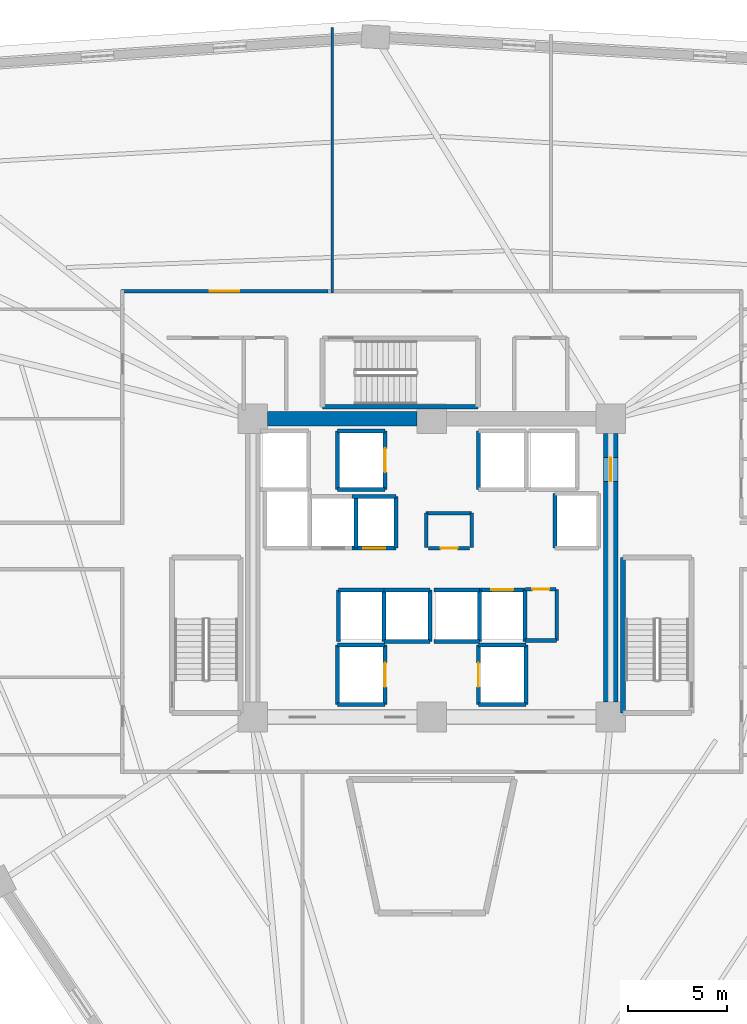
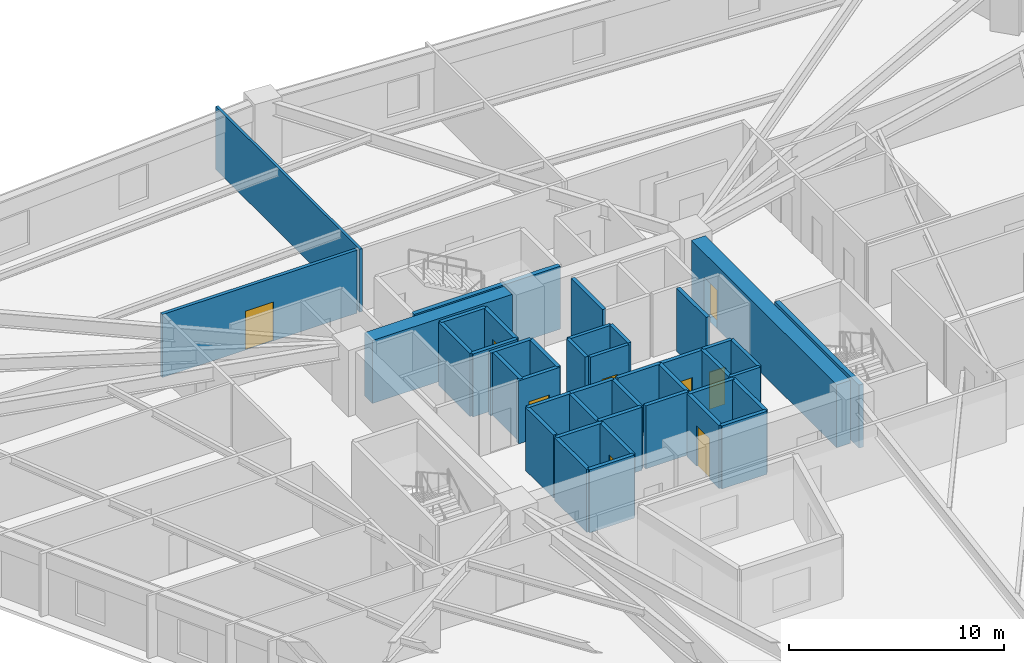
# One storey, part 5 of 9: 42 walls, 9 doors, 9 openings.
"""IFC4 building model written with IfcOpenShell, lengths in metres."""

from ifc_helpers import new_model, si_unit, direction, frame, frame_2d, origin, place, context, subcontext, project, spatial, rectangle, extrude, source, transform, mapped, material, layer, layer_set, type_object, element, fill, save


model = new_model("IFC4")

# Units and contexts
model_context = context("Model", 3, precision=1e-05, world=origin(), true_north=direction((0.0, 1.0)))
body_context = subcontext(model_context, "Body", "Model", "MODEL_VIEW")
ifc_project = project(units=[si_unit("LENGTHUNIT", "METRE"), si_unit("AREAUNIT", "SQUARE_METRE"), si_unit("VOLUMEUNIT", "CUBIC_METRE"), si_unit("PLANEANGLEUNIT", "RADIAN"), si_unit("MASSUNIT", "GRAM", prefix="KILO")], contexts=[model_context])

# Site, building, storey
site_placement = place(None, origin())
site = spatial("IfcSite", under=ifc_project, at=site_placement, CompositionType="ELEMENT")
building_placement = place(site_placement, origin())
building = spatial("IfcBuilding", under=site, at=building_placement, Name="Liaohun Quay Tower", CompositionType="ELEMENT")
storey_placement = place(building_placement, frame((0.0, 0.0, 102.0)))
storey = spatial("IfcBuildingStorey", under=building, at=storey_placement, Name="L26", CompositionType="ELEMENT", Elevation=102.0)

# Wall
ifc_material_1 = material(Name="Concrete C60", Category="concrete")
ifc_layer_1 = layer(ifc_material_1, 0.75, Name="Concrete C60", Category="concrete")
ifc_layer_set_1 = layer_set([ifc_layer_1], Name="Concrete C60")
wall_type_1 = type_object("IfcWallType", Name="WAL-COR-Z2", PredefinedType="SHEAR", material=ifc_layer_set_1)
wall_1_placement = place(storey_placement, frame((51.75, 61.5, 0.0), z_axis=(0.0, 0.0, 1.0), x_axis=(1.0, 0.0, 0.0)))
element("IfcWall", 1, at=wall_1_placement, inside=storey, type_object=wall_type_1, Name="L26 Central Core Shear Wall N-W", PredefinedType="SHEAR", context=body_context, shape_type="SweptSolid", body=[
    extrude(rectangle(XDim=7.5, YDim=0.75, at=frame_2d((3.75, 0.0))), origin(), (0.0, 0.0, 1.0), 3.570068359375),
])

# Wall, opening, door
wall_2_placement = place(storey_placement, frame((69.0, 60.75, 0.0), z_axis=(0.0, 0.0, 1.0), x_axis=(0.0, -1.0, 0.0)))
wall_2 = element("IfcWall", 2, at=wall_2_placement, inside=storey, type_object=wall_type_1, Name="L26 Central Core Shear Wall E", PredefinedType="SHEAR", context=body_context, shape_type="SweptSolid", body=[
    extrude(rectangle(XDim=13.5, YDim=0.75, at=frame_2d((6.75, 0.0))), origin(), (0.0, 0.0, 1.0), 3.570068359375),
])
shared_shape_1 = source(origin(), body_context, "Body", "SweptSolid", [
    extrude(rectangle(XDim=1.199951171875, YDim=2.199951171875, at=frame_2d((0.60009765625, 1.10009765625))), frame((0.0, 0.385009765625, 0.0), z_axis=(0.0, -1.0, 0.0), x_axis=(1.0, 0.0, 0.0)), (0.0, 0.0, 1.0), 0.77001953125),
])
opening_1_placement = place(wall_2_placement, frame((1.199951171875, 0.0, 0.0)))
opening_1 = element("IfcOpeningElement", 3, at=opening_1_placement, cuts=wall_2, Name="Opening SD1", PredefinedType="OPENING", context=body_context, shape_type="MappedRepresentation", body=[
    mapped(shared_shape_1, transform((0.0, 0.0, 0.0), x_axis=(1.0, 0.0, 0.0), y_axis=(0.0, 1.0, 0.0), z_axis=(0.0, 0.0, 1.0), scale=1.0)),
])
ifc_material_2 = material(Name="Galvanised steel fire door", Category="steel")
door_type_1 = type_object("IfcDoorType", Name="DOR-STR-1200", OperationType="NOTDEFINED", PredefinedType="DOOR", material=ifc_material_2)
shared_shape_2 = source(origin(), body_context, "Body", "SweptSolid", [
    extrude(rectangle(XDim=1.199951171875, YDim=2.199951171875, at=frame_2d((0.60009765625, 1.10009765625))), frame((0.0, 0.02490234375, 0.0), z_axis=(0.0, -1.0, 0.0), x_axis=(1.0, 0.0, 0.0)), (0.0, 0.0, 1.0), 0.050048828125),
])
door_1_placement = place(opening_1_placement, origin())
door_1 = element("IfcDoor", 4, at=door_1_placement, inside=storey, type_object=door_type_1, Name="L26 North-East Core Lobby Smokeproof Door", OperationType="SINGLE_SWING_LEFT", OverallHeight=2.199951171875, OverallWidth=1.199951171875, PredefinedType="DOOR", context=body_context, shape_type="MappedRepresentation", body=[
    mapped(shared_shape_2, transform((0.0, 0.0, 0.0), x_axis=(1.0, 0.0, 0.0), y_axis=(0.0, 1.0, 0.0), z_axis=(0.0, 0.0, 1.0), scale=1.0)),
])
fill(opening_1, door_1)

ifc_material_3 = material(Name="Autoclaved aerated concrete blockwork", Category="masonry")
ifc_layer_2 = layer(ifc_material_3, 0.179931640625, Name="Autoclaved aerated concrete blockwork", Category="masonry")
ifc_layer_set_2 = layer_set([ifc_layer_2], Name="Autoclaved aerated concrete blockwork")
wall_type_2 = type_object("IfcWallType", Name="WAL-PRT-COR", PredefinedType="PARTITIONING", material=ifc_layer_set_2)
wall_3_placement = place(storey_placement, frame((59.840087890625, 54.97998046875, 0.0), z_axis=(0.0, 0.0, 1.0), x_axis=(1.0, 0.0, 0.0)))
wall_3 = element("IfcWall", 5, at=wall_3_placement, inside=storey, type_object=wall_type_2, Name="L26 Interior Partition Wall 001", PredefinedType="PARTITIONING", context=body_context, shape_type="SweptSolid", body=[
    extrude(rectangle(XDim=2.059814453125, YDim=0.179931640625, at=frame_2d((1.02978515625, 0.0))), origin(), (0.0, 0.0, 1.0), 3.570068359375),
])
shared_shape_3 = source(origin(), body_context, "Body", "SweptSolid", [
    extrude(rectangle(XDim=0.85009765625, YDim=2.10009765625, at=frame_2d((0.425048828125, 1.050048828125))), frame((0.0, 0.099853515625, 0.0), z_axis=(0.0, -1.0, 0.0), x_axis=(1.0, 0.0, 0.0)), (0.0, 0.0, 1.0), 0.199951171875),
])
opening_2_placement = place(wall_3_placement, frame((0.60498046875, 0.0, 0.0)))
opening_2 = element("IfcOpeningElement", 6, at=opening_2_placement, cuts=wall_3, Name="Opening AD1", PredefinedType="OPENING", context=body_context, shape_type="MappedRepresentation", body=[
    mapped(shared_shape_3, transform((0.0, 0.0, 0.0), x_axis=(1.0, 0.0, 0.0), y_axis=(0.0, 1.0, 0.0), z_axis=(0.0, 0.0, 1.0), scale=1.0)),
])
ifc_material_4 = material(Name="Steel riser inspection fire door", Category="steel")
door_type_2 = type_object("IfcDoorType", Name="DOR-SHF-850", OperationType="NOTDEFINED", PredefinedType="DOOR", material=ifc_material_4)
shared_shape_4 = source(origin(), body_context, "Body", "SweptSolid", [
    extrude(rectangle(XDim=0.85009765625, YDim=2.10009765625, at=frame_2d((0.425048828125, 1.050048828125))), frame((0.0, 0.02490234375, 0.0), z_axis=(0.0, -1.0, 0.0), x_axis=(1.0, 0.0, 0.0)), (0.0, 0.0, 1.0), 0.050048828125),
])
door_2_placement = place(opening_2_placement, origin())
door_2 = element("IfcDoor", 7, at=door_2_placement, inside=storey, type_object=door_type_2, Name="L26 Electrical Meter Room Door", OperationType="SINGLE_SWING_LEFT", OverallHeight=2.10009765625, OverallWidth=0.85009765625, PredefinedType="DOOR", context=body_context, shape_type="MappedRepresentation", body=[
    mapped(shared_shape_4, transform((0.0, 0.0, 0.0), x_axis=(1.0, 0.0, 0.0), y_axis=(0.0, 1.0, 0.0), z_axis=(0.0, 0.0, 1.0), scale=1.0)),
])
fill(opening_2, door_2)

wall_4_placement = place(storey_placement, frame((64.719970703125, 52.919921875, 0.0), z_axis=(0.0, 0.0, 1.0), x_axis=(1.0, 0.0, 0.0)))
wall_4 = element("IfcWall", 8, at=wall_4_placement, inside=storey, type_object=wall_type_2, Name="L26 Interior Partition Wall 002", PredefinedType="PARTITIONING", context=body_context, shape_type="SweptSolid", body=[
    extrude(rectangle(XDim=1.530029296875, YDim=0.179931640625, at=frame_2d((0.76513671875, 0.0))), origin(), (0.0, 0.0, 1.0), 3.570068359375),
])
opening_3_placement = place(wall_4_placement, frame((0.340087890625, 0.0, 0.0)))
opening_3 = element("IfcOpeningElement", 9, at=opening_3_placement, cuts=wall_4, Name="Opening AD1", PredefinedType="OPENING", context=body_context, shape_type="MappedRepresentation", body=[
    mapped(shared_shape_3, transform((0.0, 0.0, 0.0), x_axis=(1.0, 0.0, 0.0), y_axis=(0.0, 1.0, 0.0), z_axis=(0.0, 0.0, 1.0), scale=1.0)),
])
door_3_placement = place(opening_3_placement, origin())
door_3 = element("IfcDoor", 10, at=door_3_placement, inside=storey, type_object=door_type_2, Name="L26 BMS Data Riser Room Door", OperationType="SINGLE_SWING_RIGHT", OverallHeight=2.10009765625, OverallWidth=0.85009765625, PredefinedType="DOOR", context=body_context, shape_type="MappedRepresentation", body=[
    mapped(shared_shape_4, transform((0.0, 0.0, 0.0), x_axis=(1.0, 0.0, 0.0), y_axis=(0.0, 1.0, 0.0), z_axis=(0.0, 0.0, 1.0), scale=1.0)),
])
fill(opening_3, door_3)

wall_5_placement = place(storey_placement, frame((44.3701171875, 67.909912109375, 0.0), z_axis=(0.0, 0.0, 1.0), x_axis=(1.0, 0.0, 0.0)))
wall_5 = element("IfcWall", 11, at=wall_5_placement, inside=storey, type_object=wall_type_2, Name="L26 Interior Partition Wall 013", PredefinedType="PARTITIONING", context=body_context, shape_type="SweptSolid", body=[
    extrude(rectangle(XDim=10.414794921875, YDim=0.179931640625, at=frame_2d((5.20751953125, 0.0))), origin(), (0.0, 0.0, 1.0), 3.570068359375),
])
shared_shape_5 = source(origin(), body_context, "Body", "SweptSolid", [
    extrude(rectangle(XDim=1.5, YDim=2.199951171875, at=frame_2d((0.75, 1.10009765625))), frame((0.0, 0.099853515625, 0.0), z_axis=(0.0, -1.0, 0.0), x_axis=(1.0, 0.0, 0.0)), (0.0, 0.0, 1.0), 0.199951171875),
])
opening_4_placement = place(wall_5_placement, frame((4.45703125, 0.0, 0.0)))
opening_4 = element("IfcOpeningElement", 12, at=opening_4_placement, cuts=wall_5, Name="Opening OD2", PredefinedType="OPENING", context=body_context, shape_type="MappedRepresentation", body=[
    mapped(shared_shape_5, transform((0.0, 0.0, 0.0), x_axis=(1.0, 0.0, 0.0), y_axis=(0.0, 1.0, 0.0), z_axis=(0.0, 0.0, 1.0), scale=1.0)),
])
ifc_material_5 = material(Name="Acoustic oak veneer double door")
door_type_3 = type_object("IfcDoorType", Name="DOR-OFF-1500", OperationType="DOUBLE_DOOR_SINGLE_SWING", PredefinedType="DOOR", material=ifc_material_5)
shared_shape_6 = source(origin(), body_context, "Body", "SweptSolid", [
    extrude(rectangle(XDim=1.5, YDim=2.199951171875, at=frame_2d((0.75, 1.10009765625))), frame((0.0, 0.02490234375, 0.0), z_axis=(0.0, -1.0, 0.0), x_axis=(1.0, 0.0, 0.0)), (0.0, 0.0, 1.0), 0.050048828125),
])
door_4_placement = place(opening_4_placement, origin())
door_4 = element("IfcDoor", 13, at=door_4_placement, inside=storey, type_object=door_type_3, Name="L26 Project Collaboration Studio 04 Door", OperationType="DOUBLE_DOOR_SINGLE_SWING", OverallHeight=2.199951171875, OverallWidth=1.5, PredefinedType="DOOR", context=body_context, shape_type="MappedRepresentation", body=[
    mapped(shared_shape_6, transform((0.0, 0.0, 0.0), x_axis=(1.0, 0.0, 0.0), y_axis=(0.0, 1.0, 0.0), z_axis=(0.0, 0.0, 1.0), scale=1.0)),
])
fill(opening_4, door_4)

# Walls
for number, where, z_axis, x_axis, name in (
    (14, (59.719970703125, 55.02001953125, 0.0), (0.0, 0.0, 1.0), (0.0, 1.0, 0.0), "L26 Interior Partition Wall 022"),
    (15, (62.010009765625, 55.02001953125, 0.0), (0.0, 0.0, 1.0), (0.0, 1.0, 0.0), "L26 Interior Partition Wall 023"),
):
    element("IfcWall", number, at=place(storey_placement, frame(where, z_axis=z_axis, x_axis=x_axis)), inside=storey, type_object=wall_type_2, Name=name, PredefinedType="PARTITIONING", context=body_context, shape_type="SweptSolid", body=[
        extrude(rectangle(XDim=1.72998046875, YDim=0.179931640625, at=frame_2d((0.864990234375, 0.0))), origin(), (0.0, 0.0, 1.0), 3.570068359375),
    ])
wall_6_placement = place(storey_placement, frame((59.719970703125, 56.75, 0.0), z_axis=(0.0, 0.0, 1.0), x_axis=(1.0, 0.0, 0.0)))
element("IfcWall", 16, at=wall_6_placement, inside=storey, type_object=wall_type_2, Name="L26 Interior Partition Wall 024", PredefinedType="PARTITIONING", context=body_context, shape_type="SweptSolid", body=[
    extrude(rectangle(XDim=2.2900390625, YDim=0.179931640625, at=frame_2d((1.14501953125, 0.0))), origin(), (0.0, 0.0, 1.0), 3.570068359375),
])
wall_7_placement = place(storey_placement, frame((64.68994140625, 50.35009765625, 0.0), z_axis=(0.0, 0.0, 1.0), x_axis=(1.0, 0.0, 0.0)))
element("IfcWall", 17, at=wall_7_placement, inside=storey, type_object=wall_type_2, Name="L26 Interior Partition Wall 025", PredefinedType="PARTITIONING", context=body_context, shape_type="SweptSolid", body=[
    extrude(rectangle(XDim=1.590087890625, YDim=0.179931640625, at=frame_2d((0.794921875, 0.0))), origin(), (0.0, 0.0, 1.0), 3.570068359375),
])
wall_8_placement = place(storey_placement, frame((66.280029296875, 50.35009765625, 0.0), z_axis=(0.0, 0.0, 1.0), x_axis=(0.0, 1.0, 0.0)))
element("IfcWall", 18, at=wall_8_placement, inside=storey, type_object=wall_type_2, Name="L26 Interior Partition Wall 026", PredefinedType="PARTITIONING", context=body_context, shape_type="SweptSolid", body=[
    extrude(rectangle(XDim=2.56982421875, YDim=0.179931640625, at=frame_2d((1.284912109375, 0.0))), origin(), (0.0, 0.0, 1.0), 3.570068359375),
])
ifc_material_6 = material(Name="Gypsum board on twin steel studs", Category="steel")
ifc_layer_3 = layer(ifc_material_6, 0.139892578125, Name="Gypsum board on twin steel studs", Category="steel")
ifc_layer_set_3 = layer_set([ifc_layer_3], Name="Gypsum board on twin steel studs")
wall_type_3 = type_object("IfcWallType", Name="WAL-PRT-OFF", PredefinedType="PARTITIONING", material=ifc_layer_set_3)
wall_9_placement = place(storey_placement, frame((55.0, 67.81005859375, 0.0), z_axis=(0.0, 0.0, 1.0), x_axis=(0.0, 1.0, 0.0)))
element("IfcWall", 19, at=wall_9_placement, inside=storey, type_object=wall_type_3, Name="L26 Interior Partition Wall 052", PredefinedType="PARTITIONING", context=body_context, shape_type="SweptSolid", body=[
    extrude(rectangle(XDim=13.367919921875, YDim=0.139892578125, at=frame_2d((6.68408203125, 0.0))), origin(), (0.0, 0.0, 1.0), 3.570068359375),
])
ifc_material_7 = material(Name="Concrete C50", Category="concrete")
ifc_layer_4 = layer(ifc_material_7, 0.239990234375, Name="Concrete C50", Category="concrete")
ifc_layer_set_4 = layer_set([ifc_layer_4], Name="Concrete C50")
wall_type_4 = type_object("IfcWallType", Name="WAL-SHF-200", PredefinedType="SOLIDWALL", material=ifc_layer_set_4)
for number, where, z_axis, x_axis, name in (
    (20, (69.6201171875, 54.52001953125, 0.0), (0.0, 0.0, 1.0), (0.0, -1.0, 0.0), "L26 Stairwell ST-2 Structural Core Wall W"),
    (21, (54.5, 62.10009765625, 0.0), (0.0, 0.0, 1.0), (1.0, 0.0, 0.0), "L26 Stairwell ST-3 Structural Core Wall S"),
):
    element("IfcWall", number, at=place(storey_placement, frame(where, z_axis=z_axis, x_axis=x_axis)), inside=storey, type_object=wall_type_4, Name=name, PredefinedType="SOLIDWALL", context=body_context, shape_type="SweptSolid", body=[
        extrude(rectangle(XDim=7.820068359375, YDim=0.239990234375, at=frame_2d((3.91015625, 0.0))), origin(), (0.0, 0.0, 1.0), 3.570068359375),
    ])
wall_10_placement = place(storey_placement, frame((55.25, 47.1201171875, 0.0), z_axis=(0.0, 0.0, 1.0), x_axis=(1.0, 0.0, 0.0)))
element("IfcWall", 22, at=wall_10_placement, inside=storey, type_object=wall_type_4, Name="L26 Lift FF-01 Hoistway Wall S", PredefinedType="SOLIDWALL", context=body_context, shape_type="SweptSolid", body=[
    extrude(rectangle(XDim=2.39990234375, YDim=0.199951171875, at=frame_2d((1.199951171875, 0.0))), origin(), (0.0, 0.0, 1.0), 3.570068359375),
])

# Wall, opening, door
wall_11_placement = place(storey_placement, frame((57.64990234375, 47.1201171875, 0.0), z_axis=(0.0, 0.0, 1.0), x_axis=(0.0, 1.0, 0.0)))
wall_11 = element("IfcWall", 23, at=wall_11_placement, inside=storey, type_object=wall_type_4, Name="L26 Lift FF-01 Hoistway Wall E", PredefinedType="SOLIDWALL", context=body_context, shape_type="SweptSolid", body=[
    extrude(rectangle(XDim=3.0, YDim=0.199951171875, at=frame_2d((1.5, 0.0))), origin(), (0.0, 0.0, 1.0), 3.570068359375),
])
shared_shape_7 = source(origin(), body_context, "Body", "SweptSolid", [
    extrude(rectangle(XDim=1.199951171875, YDim=2.300048828125, at=frame_2d((0.60009765625, 1.14990234375))), frame((0.0, 0.10986328125, 0.0), z_axis=(0.0, -1.0, 0.0), x_axis=(1.0, 0.0, 0.0)), (0.0, 0.0, 1.0), 0.219970703125),
])
opening_5_placement = place(wall_11_placement, frame((0.89990234375, 0.0, 0.0)))
opening_5 = element("IfcOpeningElement", 24, at=opening_5_placement, cuts=wall_11, Name="Opening LD2", PredefinedType="OPENING", context=body_context, shape_type="MappedRepresentation", body=[
    mapped(shared_shape_7, transform((0.0, 0.0, 0.0), x_axis=(1.0, 0.0, 0.0), y_axis=(0.0, 1.0, 0.0), z_axis=(0.0, 0.0, 1.0), scale=1.0)),
])
ifc_material_8 = material(Name="Brushed stainless steel stretcher landing door", Category="steel")
door_type_4 = type_object("IfcDoorType", Name="DOR-LFT-1200", OperationType="SLIDING_TO_LEFT", PredefinedType="DOOR", material=ifc_material_8)
shared_shape_8 = source(origin(), body_context, "Body", "SweptSolid", [
    extrude(rectangle(XDim=1.199951171875, YDim=2.300048828125, at=frame_2d((0.60009765625, 1.14990234375))), frame((0.0, 0.02490234375, 0.0), z_axis=(0.0, -1.0, 0.0), x_axis=(1.0, 0.0, 0.0)), (0.0, 0.0, 1.0), 0.050048828125),
])
door_5_placement = place(opening_5_placement, origin())
door_5 = element("IfcDoor", 25, at=door_5_placement, inside=storey, type_object=door_type_4, Name="L26 Lift FF-01 Sliding Landing Door", OperationType="SLIDING_TO_LEFT", OverallHeight=2.300048828125, OverallWidth=1.199951171875, PredefinedType="DOOR", context=body_context, shape_type="MappedRepresentation", body=[
    mapped(shared_shape_8, transform((0.0, 0.0, 0.0), x_axis=(1.0, 0.0, 0.0), y_axis=(0.0, 1.0, 0.0), z_axis=(0.0, 0.0, 1.0), scale=1.0)),
])
fill(opening_5, door_5)

# Walls
wall_12_placement = place(storey_placement, frame((57.64990234375, 50.1201171875, 0.0), z_axis=(0.0, 0.0, 1.0), x_axis=(-1.0, 0.0, 0.0)))
element("IfcWall", 26, at=wall_12_placement, inside=storey, type_object=wall_type_4, Name="L26 Lift FF-01 Hoistway Wall N", PredefinedType="SOLIDWALL", context=body_context, shape_type="SweptSolid", body=[
    extrude(rectangle(XDim=2.39990234375, YDim=0.199951171875, at=frame_2d((1.199951171875, 0.0))), origin(), (0.0, 0.0, 1.0), 3.570068359375),
])
wall_13_placement = place(storey_placement, frame((55.25, 50.1201171875, 0.0), z_axis=(0.0, 0.0, 1.0), x_axis=(0.0, -1.0, 0.0)))
element("IfcWall", 27, at=wall_13_placement, inside=storey, type_object=wall_type_4, Name="L26 Lift FF-01 Hoistway Wall W", PredefinedType="SOLIDWALL", context=body_context, shape_type="SweptSolid", body=[
    extrude(rectangle(XDim=3.0, YDim=0.199951171875, at=frame_2d((1.5, 0.0))), origin(), (0.0, 0.0, 1.0), 3.570068359375),
])
wall_14_placement = place(storey_placement, frame((62.35009765625, 47.1201171875, 0.0), z_axis=(0.0, 0.0, 1.0), x_axis=(1.0, 0.0, 0.0)))
element("IfcWall", 28, at=wall_14_placement, inside=storey, type_object=wall_type_4, Name="L26 Lift FF-02 Hoistway Wall S", PredefinedType="SOLIDWALL", context=body_context, shape_type="SweptSolid", body=[
    extrude(rectangle(XDim=2.39990234375, YDim=0.199951171875, at=frame_2d((1.199951171875, 0.0))), origin(), (0.0, 0.0, 1.0), 3.570068359375),
])
wall_15_placement = place(storey_placement, frame((64.75, 47.1201171875, 0.0), z_axis=(0.0, 0.0, 1.0), x_axis=(0.0, 1.0, 0.0)))
element("IfcWall", 29, at=wall_15_placement, inside=storey, type_object=wall_type_4, Name="L26 Lift FF-02 Hoistway Wall E", PredefinedType="SOLIDWALL", context=body_context, shape_type="SweptSolid", body=[
    extrude(rectangle(XDim=3.0, YDim=0.199951171875, at=frame_2d((1.5, 0.0))), origin(), (0.0, 0.0, 1.0), 3.570068359375),
])
wall_16_placement = place(storey_placement, frame((64.75, 50.1201171875, 0.0), z_axis=(0.0, 0.0, 1.0), x_axis=(-1.0, 0.0, 0.0)))
element("IfcWall", 30, at=wall_16_placement, inside=storey, type_object=wall_type_4, Name="L26 Lift FF-02 Hoistway Wall N", PredefinedType="SOLIDWALL", context=body_context, shape_type="SweptSolid", body=[
    extrude(rectangle(XDim=2.39990234375, YDim=0.199951171875, at=frame_2d((1.199951171875, 0.0))), origin(), (0.0, 0.0, 1.0), 3.570068359375),
])

# Wall, opening, door
wall_17_placement = place(storey_placement, frame((62.35009765625, 50.1201171875, 0.0), z_axis=(0.0, 0.0, 1.0), x_axis=(0.0, -1.0, 0.0)))
wall_17 = element("IfcWall", 31, at=wall_17_placement, inside=storey, type_object=wall_type_4, Name="L26 Lift FF-02 Hoistway Wall W", PredefinedType="SOLIDWALL", context=body_context, shape_type="SweptSolid", body=[
    extrude(rectangle(XDim=3.0, YDim=0.199951171875, at=frame_2d((1.5, 0.0))), origin(), (0.0, 0.0, 1.0), 3.570068359375),
])
opening_6_placement = place(wall_17_placement, frame((0.89990234375, 0.0, 0.0)))
opening_6 = element("IfcOpeningElement", 32, at=opening_6_placement, cuts=wall_17, Name="Opening LD2", PredefinedType="OPENING", context=body_context, shape_type="MappedRepresentation", body=[
    mapped(shared_shape_7, transform((0.0, 0.0, 0.0), x_axis=(1.0, 0.0, 0.0), y_axis=(0.0, 1.0, 0.0), z_axis=(0.0, 0.0, 1.0), scale=1.0)),
])
door_6_placement = place(opening_6_placement, origin())
door_6 = element("IfcDoor", 33, at=door_6_placement, inside=storey, type_object=door_type_4, Name="L26 Lift FF-02 Sliding Landing Door", OperationType="SLIDING_TO_LEFT", OverallHeight=2.300048828125, OverallWidth=1.199951171875, PredefinedType="DOOR", context=body_context, shape_type="MappedRepresentation", body=[
    mapped(shared_shape_8, transform((0.0, 0.0, 0.0), x_axis=(1.0, 0.0, 0.0), y_axis=(0.0, 1.0, 0.0), z_axis=(0.0, 0.0, 1.0), scale=1.0)),
])
fill(opening_6, door_6)

# Wall
wall_18_placement = place(storey_placement, frame((55.25, 57.949951171875, 0.0), z_axis=(0.0, 0.0, 1.0), x_axis=(1.0, 0.0, 0.0)))
element("IfcWall", 34, at=wall_18_placement, inside=storey, type_object=wall_type_4, Name="L26 Lift FF-03 Hoistway Wall S", PredefinedType="SOLIDWALL", context=body_context, shape_type="SweptSolid", body=[
    extrude(rectangle(XDim=2.39990234375, YDim=0.199951171875, at=frame_2d((1.199951171875, 0.0))), origin(), (0.0, 0.0, 1.0), 3.570068359375),
])

# Wall, opening, door
wall_19_placement = place(storey_placement, frame((57.64990234375, 57.949951171875, 0.0), z_axis=(0.0, 0.0, 1.0), x_axis=(0.0, 1.0, 0.0)))
wall_19 = element("IfcWall", 35, at=wall_19_placement, inside=storey, type_object=wall_type_4, Name="L26 Lift FF-03 Hoistway Wall E", PredefinedType="SOLIDWALL", context=body_context, shape_type="SweptSolid", body=[
    extrude(rectangle(XDim=2.929931640625, YDim=0.199951171875, at=frame_2d((1.46484375, 0.0))), origin(), (0.0, 0.0, 1.0), 3.570068359375),
])
opening_7_placement = place(wall_19_placement, frame((0.864990234375, 0.0, 0.0)))
opening_7 = element("IfcOpeningElement", 36, at=opening_7_placement, cuts=wall_19, Name="Opening LD2", PredefinedType="OPENING", context=body_context, shape_type="MappedRepresentation", body=[
    mapped(shared_shape_7, transform((0.0, 0.0, 0.0), x_axis=(1.0, 0.0, 0.0), y_axis=(0.0, 1.0, 0.0), z_axis=(0.0, 0.0, 1.0), scale=1.0)),
])
door_7_placement = place(opening_7_placement, origin())
door_7 = element("IfcDoor", 37, at=door_7_placement, inside=storey, type_object=door_type_4, Name="L26 Lift FF-03 Sliding Landing Door", OperationType="SLIDING_TO_LEFT", OverallHeight=2.300048828125, OverallWidth=1.199951171875, PredefinedType="DOOR", context=body_context, shape_type="MappedRepresentation", body=[
    mapped(shared_shape_8, transform((0.0, 0.0, 0.0), x_axis=(1.0, 0.0, 0.0), y_axis=(0.0, 1.0, 0.0), z_axis=(0.0, 0.0, 1.0), scale=1.0)),
])
fill(opening_7, door_7)

# Walls
wall_20_placement = place(storey_placement, frame((57.64990234375, 60.8798828125, 0.0), z_axis=(0.0, 0.0, 1.0), x_axis=(-1.0, 0.0, 0.0)))
element("IfcWall", 38, at=wall_20_placement, inside=storey, type_object=wall_type_4, Name="L26 Lift FF-03 Hoistway Wall N", PredefinedType="SOLIDWALL", context=body_context, shape_type="SweptSolid", body=[
    extrude(rectangle(XDim=2.39990234375, YDim=0.199951171875, at=frame_2d((1.199951171875, 0.0))), origin(), (0.0, 0.0, 1.0), 3.570068359375),
])
for number, where, z_axis, x_axis, name in (
    (39, (55.25, 60.8798828125, 0.0), (0.0, 0.0, 1.0), (0.0, -1.0, 0.0), "L26 Lift FF-03 Hoistway Wall W"),
    (40, (62.35009765625, 60.8798828125, 0.0), (0.0, 0.0, 1.0), (0.0, -1.0, 0.0), "L26 Lift OB-01 Hoistway Wall W"),
):
    element("IfcWall", number, at=place(storey_placement, frame(where, z_axis=z_axis, x_axis=x_axis)), inside=storey, type_object=wall_type_4, Name=name, PredefinedType="SOLIDWALL", context=body_context, shape_type="SweptSolid", body=[
        extrude(rectangle(XDim=2.929931640625, YDim=0.199951171875, at=frame_2d((1.46484375, 0.0))), origin(), (0.0, 0.0, 1.0), 3.570068359375),
    ])
wall_21_placement = place(storey_placement, frame((66.199951171875, 57.75, 0.0), z_axis=(0.0, 0.0, 1.0), x_axis=(0.0, -1.0, 0.0)))
element("IfcWall", 41, at=wall_21_placement, inside=storey, type_object=wall_type_4, Name="L26 Lift SH-03 Hoistway Wall W", PredefinedType="SOLIDWALL", context=body_context, shape_type="SweptSolid", body=[
    extrude(rectangle(XDim=2.75, YDim=0.199951171875, at=frame_2d((1.375, 0.0))), origin(), (0.0, 0.0, 1.0), 3.570068359375),
])
wall_22_placement = place(storey_placement, frame((57.60009765625, 50.300048828125, 0.0), z_axis=(0.0, 0.0, 1.0), x_axis=(0.0, 1.0, 0.0)))
element("IfcWall", 42, at=wall_22_placement, inside=storey, type_object=wall_type_4, Name="L26 Lift PL-1A Hoistway Wall E", PredefinedType="SOLIDWALL", context=body_context, shape_type="SweptSolid", body=[
    extrude(rectangle(XDim=2.599853515625, YDim=0.199951171875, at=frame_2d((1.2998046875, 0.0))), origin(), (0.0, 0.0, 1.0), 3.570068359375),
])
wall_23_placement = place(storey_placement, frame((57.60009765625, 52.89990234375, 0.0), z_axis=(0.0, 0.0, 1.0), x_axis=(-1.0, 0.0, 0.0)))
element("IfcWall", 43, at=wall_23_placement, inside=storey, type_object=wall_type_4, Name="L26 Lift PL-1A Hoistway Wall N", PredefinedType="SOLIDWALL", context=body_context, shape_type="SweptSolid", body=[
    extrude(rectangle(XDim=2.300048828125, YDim=0.199951171875, at=frame_2d((1.14990234375, 0.0))), origin(), (0.0, 0.0, 1.0), 3.570068359375),
])
wall_24_placement = place(storey_placement, frame((55.300048828125, 52.89990234375, 0.0), z_axis=(0.0, 0.0, 1.0), x_axis=(0.0, -1.0, 0.0)))
element("IfcWall", 44, at=wall_24_placement, inside=storey, type_object=wall_type_4, Name="L26 Lift PL-1A Hoistway Wall W", PredefinedType="SOLIDWALL", context=body_context, shape_type="SweptSolid", body=[
    extrude(rectangle(XDim=2.599853515625, YDim=0.199951171875, at=frame_2d((1.2998046875, 0.0))), origin(), (0.0, 0.0, 1.0), 3.570068359375),
])
wall_25_placement = place(storey_placement, frame((57.60009765625, 50.300048828125, 0.0), z_axis=(0.0, 0.0, 1.0), x_axis=(1.0, 0.0, 0.0)))
element("IfcWall", 45, at=wall_25_placement, inside=storey, type_object=wall_type_4, Name="L26 Lift PL-1B Hoistway Wall S", PredefinedType="SOLIDWALL", context=body_context, shape_type="SweptSolid", body=[
    extrude(rectangle(XDim=2.2998046875, YDim=0.199951171875, at=frame_2d((1.14990234375, 0.0))), origin(), (0.0, 0.0, 1.0), 3.570068359375),
])
wall_26_placement = place(storey_placement, frame((59.89990234375, 50.300048828125, 0.0), z_axis=(0.0, 0.0, 1.0), x_axis=(0.0, 1.0, 0.0)))
element("IfcWall", 46, at=wall_26_placement, inside=storey, type_object=wall_type_4, Name="L26 Lift PL-1B Hoistway Wall E", PredefinedType="SOLIDWALL", context=body_context, shape_type="SweptSolid", body=[
    extrude(rectangle(XDim=2.599853515625, YDim=0.199951171875, at=frame_2d((1.2998046875, 0.0))), origin(), (0.0, 0.0, 1.0), 3.570068359375),
])
for number, where, z_axis, x_axis, name in (
    (47, (59.89990234375, 52.89990234375, 0.0), (0.0, 0.0, 1.0), (-1.0, 0.0, 0.0), "L26 Lift PL-1B Hoistway Wall N"),
    (48, (60.10009765625, 50.300048828125, 0.0), (0.0, 0.0, 1.0), (1.0, 0.0, 0.0), "L26 Lift PL-1C Hoistway Wall S"),
):
    element("IfcWall", number, at=place(storey_placement, frame(where, z_axis=z_axis, x_axis=x_axis)), inside=storey, type_object=wall_type_4, Name=name, PredefinedType="SOLIDWALL", context=body_context, shape_type="SweptSolid", body=[
        extrude(rectangle(XDim=2.2998046875, YDim=0.199951171875, at=frame_2d((1.14990234375, 0.0))), origin(), (0.0, 0.0, 1.0), 3.570068359375),
    ])
wall_27_placement = place(storey_placement, frame((62.39990234375, 50.300048828125, 0.0), z_axis=(0.0, 0.0, 1.0), x_axis=(0.0, 1.0, 0.0)))
element("IfcWall", 49, at=wall_27_placement, inside=storey, type_object=wall_type_4, Name="L26 Lift PL-1C Hoistway Wall E", PredefinedType="SOLIDWALL", context=body_context, shape_type="SweptSolid", body=[
    extrude(rectangle(XDim=2.599853515625, YDim=0.199951171875, at=frame_2d((1.2998046875, 0.0))), origin(), (0.0, 0.0, 1.0), 3.570068359375),
])
wall_28_placement = place(storey_placement, frame((62.39990234375, 52.89990234375, 0.0), z_axis=(0.0, 0.0, 1.0), x_axis=(-1.0, 0.0, 0.0)))
element("IfcWall", 50, at=wall_28_placement, inside=storey, type_object=wall_type_4, Name="L26 Lift PL-1C Hoistway Wall N", PredefinedType="SOLIDWALL", context=body_context, shape_type="SweptSolid", body=[
    extrude(rectangle(XDim=2.2998046875, YDim=0.199951171875, at=frame_2d((1.14990234375, 0.0))), origin(), (0.0, 0.0, 1.0), 3.570068359375),
])
wall_29_placement = place(storey_placement, frame((64.699951171875, 50.300048828125, 0.0), z_axis=(0.0, 0.0, 1.0), x_axis=(0.0, 1.0, 0.0)))
element("IfcWall", 51, at=wall_29_placement, inside=storey, type_object=wall_type_4, Name="L26 Lift PL-2A Hoistway Wall E", PredefinedType="SOLIDWALL", context=body_context, shape_type="SweptSolid", body=[
    extrude(rectangle(XDim=2.599853515625, YDim=0.199951171875, at=frame_2d((1.2998046875, 0.0))), origin(), (0.0, 0.0, 1.0), 3.570068359375),
])

# Wall, opening, door
wall_30_placement = place(storey_placement, frame((64.699951171875, 52.89990234375, 0.0), z_axis=(0.0, 0.0, 1.0), x_axis=(-1.0, 0.0, 0.0)))
wall_30 = element("IfcWall", 52, at=wall_30_placement, inside=storey, type_object=wall_type_4, Name="L26 Lift PL-2A Hoistway Wall N", PredefinedType="SOLIDWALL", context=body_context, shape_type="SweptSolid", body=[
    extrude(rectangle(XDim=2.300048828125, YDim=0.199951171875, at=frame_2d((1.14990234375, 0.0))), origin(), (0.0, 0.0, 1.0), 3.570068359375),
])
shared_shape_9 = source(origin(), body_context, "Body", "SweptSolid", [
    extrude(rectangle(XDim=1.10009765625, YDim=2.199951171875, at=frame_2d((0.550048828125, 1.10009765625))), frame((0.0, 0.10986328125, 0.0), z_axis=(0.0, -1.0, 0.0), x_axis=(1.0, 0.0, 0.0)), (0.0, 0.0, 1.0), 0.219970703125),
])
opening_8_placement = place(wall_30_placement, frame((0.60009765625, 0.0, 0.0)))
opening_8 = element("IfcOpeningElement", 53, at=opening_8_placement, cuts=wall_30, Name="Opening LD1", PredefinedType="OPENING", context=body_context, shape_type="MappedRepresentation", body=[
    mapped(shared_shape_9, transform((0.0, 0.0, 0.0), x_axis=(1.0, 0.0, 0.0), y_axis=(0.0, 1.0, 0.0), z_axis=(0.0, 0.0, 1.0), scale=1.0)),
])
ifc_material_9 = material(Name="Brushed stainless steel landing door", Category="steel")
door_type_5 = type_object("IfcDoorType", Name="DOR-LFT-1100", OperationType="SLIDING_TO_LEFT", PredefinedType="DOOR", material=ifc_material_9)
shared_shape_10 = source(origin(), body_context, "Body", "SweptSolid", [
    extrude(rectangle(XDim=1.10009765625, YDim=2.199951171875, at=frame_2d((0.550048828125, 1.10009765625))), frame((0.0, 0.02490234375, 0.0), z_axis=(0.0, -1.0, 0.0), x_axis=(1.0, 0.0, 0.0)), (0.0, 0.0, 1.0), 0.050048828125),
])
door_8_placement = place(opening_8_placement, origin())
door_8 = element("IfcDoor", 54, at=door_8_placement, inside=storey, type_object=door_type_5, Name="L26 Lift PL-2A Sliding Landing Door", OperationType="SLIDING_TO_LEFT", OverallHeight=2.199951171875, OverallWidth=1.10009765625, PredefinedType="DOOR", context=body_context, shape_type="MappedRepresentation", body=[
    mapped(shared_shape_10, transform((0.0, 0.0, 0.0), x_axis=(1.0, 0.0, 0.0), y_axis=(0.0, 1.0, 0.0), z_axis=(0.0, 0.0, 1.0), scale=1.0)),
])
fill(opening_8, door_8)

# Wall
wall_31_placement = place(storey_placement, frame((56.199951171875, 55.0, 0.0), z_axis=(0.0, 0.0, 1.0), x_axis=(0.0, 1.0, 0.0)))
element("IfcWall", 55, at=wall_31_placement, inside=storey, type_object=wall_type_4, Name="L26 Lift PL-2B Hoistway Wall E", PredefinedType="SOLIDWALL", context=body_context, shape_type="SweptSolid", body=[
    extrude(rectangle(XDim=2.60009765625, YDim=0.199951171875, at=frame_2d((1.300048828125, 0.0))), origin(), (0.0, 0.0, 1.0), 3.570068359375),
])

# Wall, opening, door
wall_32_placement = place(storey_placement, frame((56.0, 55.0, 0.0), z_axis=(0.0, 0.0, 1.0), x_axis=(1.0, 0.0, 0.0)))
wall_32 = element("IfcWall", 56, at=wall_32_placement, inside=storey, type_object=wall_type_4, Name="L26 Lift PL-2C Hoistway Wall S", PredefinedType="SOLIDWALL", context=body_context, shape_type="SweptSolid", body=[
    extrude(rectangle(XDim=2.199951171875, YDim=0.199951171875, at=frame_2d((1.10009765625, 0.0))), origin(), (0.0, 0.0, 1.0), 3.570068359375),
])
opening_9_placement = place(wall_32_placement, frame((0.550048828125, 0.0, 0.0)))
opening_9 = element("IfcOpeningElement", 57, at=opening_9_placement, cuts=wall_32, Name="Opening LD1", PredefinedType="OPENING", context=body_context, shape_type="MappedRepresentation", body=[
    mapped(shared_shape_9, transform((0.0, 0.0, 0.0), x_axis=(1.0, 0.0, 0.0), y_axis=(0.0, 1.0, 0.0), z_axis=(0.0, 0.0, 1.0), scale=1.0)),
])
door_9_placement = place(opening_9_placement, origin())
door_9 = element("IfcDoor", 58, at=door_9_placement, inside=storey, type_object=door_type_5, Name="L26 Lift PL-2C Sliding Landing Door", OperationType="SLIDING_TO_LEFT", OverallHeight=2.199951171875, OverallWidth=1.10009765625, PredefinedType="DOOR", context=body_context, shape_type="MappedRepresentation", body=[
    mapped(shared_shape_10, transform((0.0, 0.0, 0.0), x_axis=(1.0, 0.0, 0.0), y_axis=(0.0, 1.0, 0.0), z_axis=(0.0, 0.0, 1.0), scale=1.0)),
])
fill(opening_9, door_9)

# Walls
wall_33_placement = place(storey_placement, frame((58.199951171875, 55.0, 0.0), z_axis=(0.0, 0.0, 1.0), x_axis=(0.0, 1.0, 0.0)))
element("IfcWall", 59, at=wall_33_placement, inside=storey, type_object=wall_type_4, Name="L26 Lift PL-2C Hoistway Wall E", PredefinedType="SOLIDWALL", context=body_context, shape_type="SweptSolid", body=[
    extrude(rectangle(XDim=2.60009765625, YDim=0.199951171875, at=frame_2d((1.300048828125, 0.0))), origin(), (0.0, 0.0, 1.0), 3.570068359375),
])
wall_34_placement = place(storey_placement, frame((58.199951171875, 57.60009765625, 0.0), z_axis=(0.0, 0.0, 1.0), x_axis=(-1.0, 0.0, 0.0)))
element("IfcWall", 60, at=wall_34_placement, inside=storey, type_object=wall_type_4, Name="L26 Lift PL-2C Hoistway Wall N", PredefinedType="SOLIDWALL", context=body_context, shape_type="SweptSolid", body=[
    extrude(rectangle(XDim=2.199951171875, YDim=0.199951171875, at=frame_2d((1.10009765625, 0.0))), origin(), (0.0, 0.0, 1.0), 3.570068359375),
])

save(model, "model.ifc")
